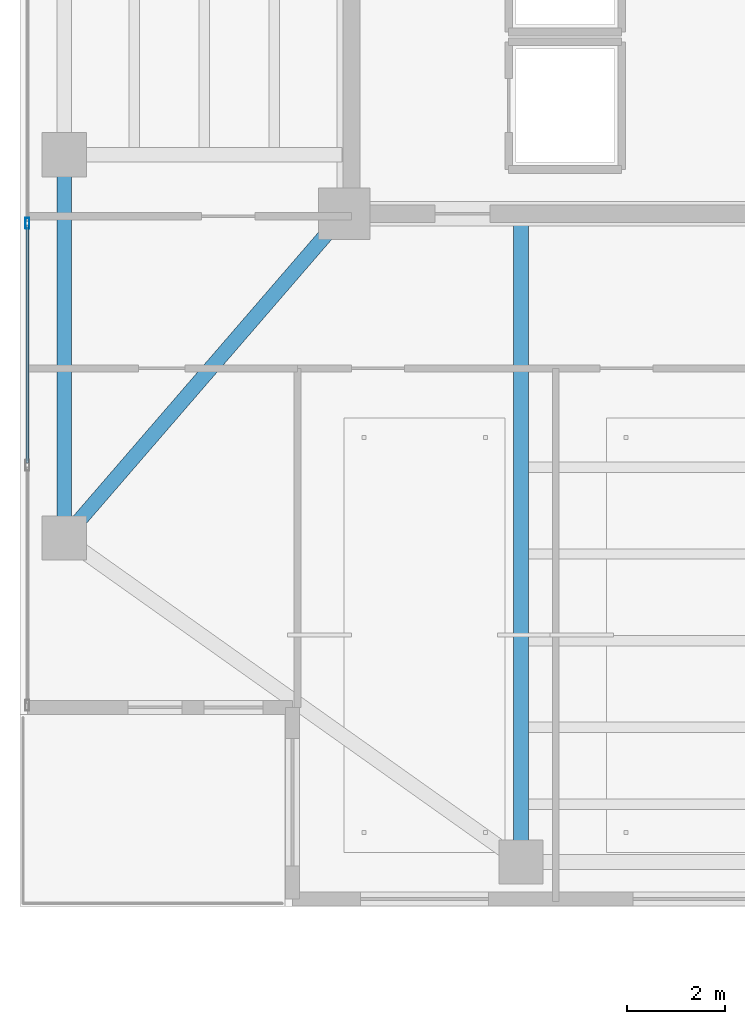
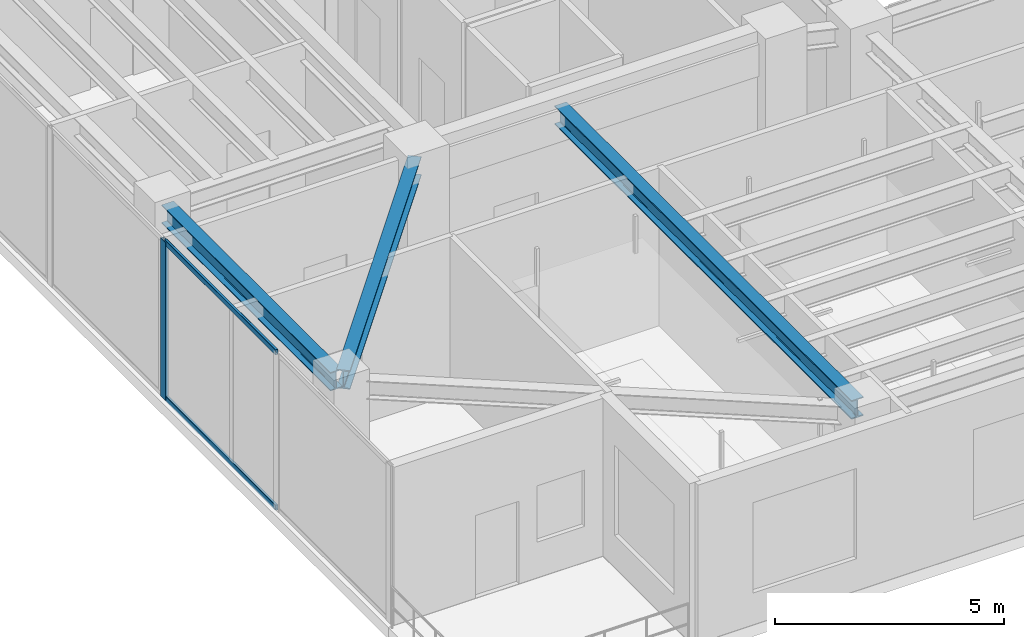
# One storey, part 3 of 33: 3 beams, 3 members, 1 element without a shape of its own.
"""IFC4 building model written with IfcOpenShell, lengths in metres."""

from ifc_helpers import new_model, si_unit, direction, frame, origin, origin_2d, place, context, subcontext, project, spatial, hollow_rectangle, i_section, extrude, material, layer, layer_set, material_profile, profile_set, type_object, element, aggregate, save


model = new_model("IFC4")

# Units and contexts
model_context = context("Model", 3, precision=1e-05, world=origin(), true_north=direction((0.0, 1.0)))
body_context = subcontext(model_context, "Body", "Model", "MODEL_VIEW")
ifc_project = project(units=[si_unit("LENGTHUNIT", "METRE"), si_unit("AREAUNIT", "SQUARE_METRE"), si_unit("VOLUMEUNIT", "CUBIC_METRE"), si_unit("PLANEANGLEUNIT", "RADIAN"), si_unit("MASSUNIT", "GRAM", prefix="KILO")], contexts=[model_context])

# Site, building, storey
site_placement = place(None, origin())
site = spatial("IfcSite", under=ifc_project, at=site_placement, CompositionType="ELEMENT")
building_placement = place(site_placement, origin())
building = spatial("IfcBuilding", under=site, at=building_placement, Name="Tarnavaz Court Tower", CompositionType="ELEMENT")
storey_placement = place(building_placement, frame((0.0, 0.0, 177.300048828125)))
storey = spatial("IfcBuildingStorey", under=building, at=storey_placement, Name="L48", CompositionType="ELEMENT", Elevation=177.300048828125)

# Beams
ifc_material_1 = material(Name="Steel S355", Category="steel")
ifc_material_profile_1 = material_profile(ifc_material_1, i_section(OverallWidth=0.300048828125, OverallDepth=0.5, WebThickness=0.014404296875, FlangeThickness=0.028076171875, FilletRadius=0.027099609375, at=origin_2d()), Name="HEB 500")
ifc_profile_set_1 = profile_set([ifc_material_profile_1], Name="Steel S355")
beam_type_1 = type_object("IfcBeamType", Name="BM-G-HEB500", PredefinedType="USERDEFINED", material=ifc_profile_set_1)
beam_1_placement = place(storey_placement, frame((-15.0, -7.239990234375, 3.949951171875), z_axis=(0.0, -1.0, 0.0), x_axis=(1.0, 0.0, 0.0)))
element("IfcBeam", 1, at=beam_1_placement, inside=storey, type_object=beam_type_1, Name="L48 Beam RG-05", ObjectType="GIRDER", PredefinedType="USERDEFINED", context=body_context, shape_type="SweptSolid", body=[
    extrude(i_section(OverallWidth=0.300048828125, OverallDepth=0.5, WebThickness=0.014404296875, FlangeThickness=0.028076171875, FilletRadius=0.027099609375, at=origin_2d()), origin(), (0.0, 0.0, 1.0), 12.93994140625),
])
beam_2_placement = place(storey_placement, frame((-18.743896484375, -7.366455078125, 3.949951171875), z_axis=(-0.653610659012, -0.756830962914, 0.0), x_axis=(0.756830962914, -0.653610659012, 0.0)))
element("IfcBeam", 2, at=beam_2_placement, inside=storey, type_object=beam_type_1, Name="L48 Beam RG-15", ObjectType="GIRDER", PredefinedType="USERDEFINED", context=body_context, shape_type="SweptSolid", body=[
    extrude(i_section(OverallWidth=0.300048828125, OverallDepth=0.5, WebThickness=0.014404296875, FlangeThickness=0.028076171875, FilletRadius=0.027099609375, at=origin_2d()), origin(), (0.0, 0.0, 1.0), 8.28076171875),
])
ifc_material_profile_2 = material_profile(ifc_material_1, i_section(OverallWidth=0.300048828125, OverallDepth=0.489990234375, WebThickness=0.011962890625, FlangeThickness=0.02294921875, FilletRadius=0.027099609375, at=origin_2d()), Name="HEA 500")
ifc_profile_set_2 = profile_set([ifc_material_profile_2], Name="Steel S355")
beam_type_2 = type_object("IfcBeamType", Name="BM-SP-HEA500", PredefinedType="SPANDREL", material=ifc_profile_set_2)
beam_3_placement = place(storey_placement, frame((-24.300048828125, -13.580078125, 3.954833984375), z_axis=(0.0, 1.0, 0.0), x_axis=(-1.0, 0.0, 0.0)))
element("IfcBeam", 3, at=beam_3_placement, inside=storey, type_object=beam_type_2, Name="L48 Beam PR-PW-1-PW-2", PredefinedType="SPANDREL", context=body_context, shape_type="SweptSolid", body=[
    extrude(i_section(OverallWidth=0.300048828125, OverallDepth=0.489990234375, WebThickness=0.011962890625, FlangeThickness=0.02294921875, FilletRadius=0.027099609375, at=origin_2d()), origin(), (0.0, 0.0, 1.0), 7.360107421875),
])

# Curtain wall, members
ifc_material_2 = material(Name="Anodised Aluminium 6063-T6 and Solar Low-E Glazing", Category="aluminium")
ifc_layer = layer(ifc_material_2, 0.199951171875)
ifc_layer_set = layer_set([ifc_layer], Name="Anodised Aluminium 6063-T6 and Solar Low-E Glazing")
curtain_wall_type = type_object("IfcCurtainWallType", Name="CW-SYS-05", PredefinedType="NOTDEFINED", material=ifc_layer_set)
curtain_wall_placement = place(storey_placement, origin())
curtain_wall = element("IfcCurtainWall", 4, at=curtain_wall_placement, inside=storey, type_object=curtain_wall_type, Name="L48 Sky-Portal Curtain Wall 2", PredefinedType="NOTDEFINED")
ifc_material_3 = material(Name="Anodised Aluminium 6063-T6", Category="aluminium")
ifc_material_profile_3 = material_profile(ifc_material_3, hollow_rectangle(XDim=0.0849609375, YDim=0.219970703125, WallThickness=0.006103515625, InnerFilletRadius=0.006103515625, OuterFilletRadius=0.011962890625, at=origin_2d()), Name="ALU RHS 220X85X6")
ifc_profile_set_3 = profile_set([ifc_material_profile_3], Name="Anodised Aluminium 6063-T6")
member_type_1 = type_object("IfcMemberType", Name="CW-MUL-220", PredefinedType="MULLION", material=ifc_profile_set_3)
member_1_placement = place(storey_placement, frame((-25.050048828125, -7.392822265625, 0.0), z_axis=(0.0, 0.0, 1.0), x_axis=(-1.0, 0.0, 0.0)))
member_1 = element("IfcMember", 5, at=member_1_placement, type_object=member_type_1, Name="CW mullion 3", PredefinedType="MULLION", context=body_context, shape_type="SweptSolid", body=[
    extrude(hollow_rectangle(XDim=0.0849609375, YDim=0.219970703125, WallThickness=0.006103515625, InnerFilletRadius=0.006103515625, OuterFilletRadius=0.011962890625, at=origin_2d()), origin(), (0.0, 0.0, 1.0), 4.199951171875),
])
ifc_material_profile_4 = material_profile(ifc_material_3, hollow_rectangle(XDim=0.06494140625, YDim=0.139892578125, WallThickness=0.00390625, InnerFilletRadius=0.00390625, OuterFilletRadius=0.008056640625, at=origin_2d()), Name="ALU RHS 140X65X4")
ifc_profile_set_4 = profile_set([ifc_material_profile_4], Name="Anodised Aluminium 6063-T6")
member_type_2 = type_object("IfcMemberType", Name="CW-TRN-140", PredefinedType="USERDEFINED", material=ifc_profile_set_4)
member_2_placement = place(storey_placement, frame((-25.050048828125, -12.27880859375, 0.032470703125), z_axis=(0.0, 1.0, 0.0), x_axis=(-1.0, 0.0, 0.0)))
member_2 = element("IfcMember", 6, at=member_2_placement, type_object=member_type_2, Name="CW transom 2.1", ObjectType="TRANSOM", PredefinedType="USERDEFINED", context=body_context, shape_type="SweptSolid", body=[
    extrude(hollow_rectangle(XDim=0.06494140625, YDim=0.139892578125, WallThickness=0.00390625, InnerFilletRadius=0.00390625, OuterFilletRadius=0.008056640625, at=origin_2d()), origin(), (0.0, 0.0, 1.0), 4.843505859375),
])
member_3_placement = place(storey_placement, frame((-25.050048828125, -12.27880859375, 4.16748046875), z_axis=(0.0, 1.0, 0.0), x_axis=(-1.0, 0.0, 0.0)))
member_3 = element("IfcMember", 7, at=member_3_placement, type_object=member_type_2, Name="CW transom 2.2", ObjectType="TRANSOM", PredefinedType="USERDEFINED", context=body_context, shape_type="SweptSolid", body=[
    extrude(hollow_rectangle(XDim=0.06494140625, YDim=0.139892578125, WallThickness=0.00390625, InnerFilletRadius=0.00390625, OuterFilletRadius=0.008056640625, at=origin_2d()), origin(), (0.0, 0.0, 1.0), 4.843505859375),
])
aggregate(curtain_wall, [member_1, member_2, member_3])

save(model, "model.ifc")
